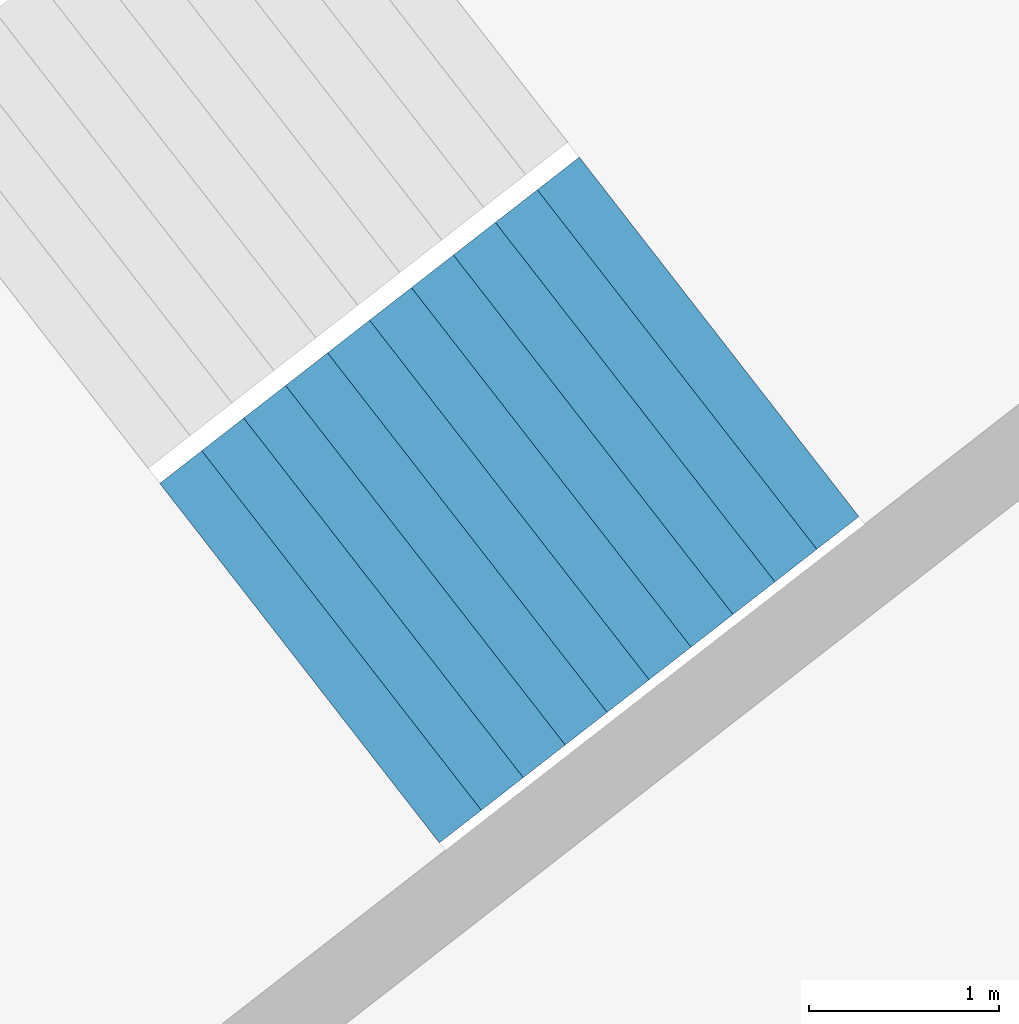
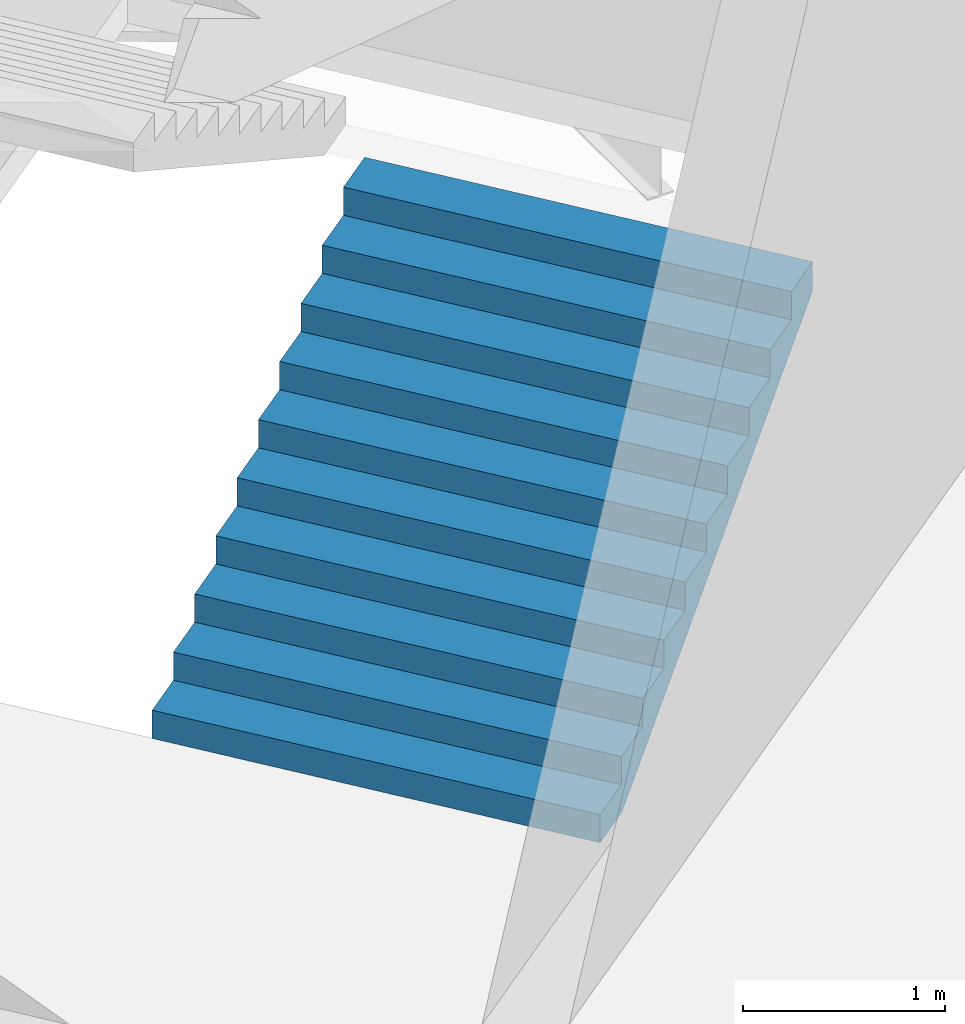
# One storey, part 61 of 73: 1 stair flight, 1 element without a shape of its own.
"""IFC4 building model written with IfcOpenShell, lengths in metres."""

import ifcopenshell
import ifcopenshell.guid

model = None  # the IFC model being written
_history = None  # IfcOwnerHistory: only IFC2X3 demands one
_inside = {}  # id of a spatial element -> (the spatial element, [elements in it])
_under = {}  # id of a project, library or spatial element -> (it, [spatial elements below it])
_declared = {}  # id of a project -> (the project, [libraries it declares])
_typed = {}  # id of a type object -> (the type object, [elements of that type])
_made_of = {}  # id of a material, layer set ... -> (it, [elements and type objects made of it])


def new_model(schema):
    """Start an empty IFC model of exactly this schema.

    Asked for "IFC4X3", IfcOpenShell would pick the latest addendum, in which some entities
    have other attributes; the version numbers below select the first issue.
    IFC2X3 requires an IfcOwnerHistory on every rooted entity: one is made here for all.
    """
    global model, _history
    if schema == "IFC4X3":
        model = ifcopenshell.file(schema_version=(4, 3, 0, 0))
    else:
        model = ifcopenshell.file(schema=schema)
    _inside.clear()
    _under.clear()
    _declared.clear()
    _typed.clear()
    _made_of.clear()
    _history = None
    if model.schema == "IFC2X3":
        org = make("IfcOrganization", Name="unknown")
        user = make(
            "IfcPersonAndOrganization",
            ThePerson=make("IfcPerson", FamilyName="unknown"),
            TheOrganization=org,
        )
        app = make(
            "IfcApplication",
            ApplicationDeveloper=org,
            Version="unknown",
            ApplicationFullName="unknown",
            ApplicationIdentifier="unknown",
        )
        _history = make(
            "IfcOwnerHistory",
            OwningUser=user,
            OwningApplication=app,
            ChangeAction="ADDED",
            CreationDate=0,
        )
    return model


def make(cls, **values):
    """One entity of the class cls with the attributes given. An attribute that is None is left unset."""
    return model.create_entity(
        cls, **{name: value for name, value in values.items() if value is not None}
    )


def rooted(cls, **values):
    """An entity with a GlobalId (a new one), such as an element, a storey or a relation."""
    return make(cls, GlobalId=ifcopenshell.guid.new(), OwnerHistory=_history, **values)


def si_unit(unit_type, name, prefix=None):
    """IfcSIUnit, for example si_unit("LENGTHUNIT", "METRE", prefix="MILLI")."""
    return make("IfcSIUnit", UnitType=unit_type, Prefix=prefix, Name=name)


def assignment(units):
    """IfcUnitAssignment: the units of a project."""
    return None if units is None else make("IfcUnitAssignment", Units=units)


def point(xyz):
    """IfcCartesianPoint."""
    return None if xyz is None else make("IfcCartesianPoint", Coordinates=xyz)


def direction(xyz):
    """IfcDirection."""
    return None if xyz is None else make("IfcDirection", DirectionRatios=xyz)


def frame(location, z_axis=None, x_axis=None):
    """IfcAxis2Placement3D, a coordinate frame: its origin and axes. An axis left out is left unset."""
    return make(
        "IfcAxis2Placement3D",
        Location=point(location),
        Axis=direction(z_axis),
        RefDirection=direction(x_axis),
    )


def origin():
    """The frame at (0, 0, 0) with its axes left unset."""
    return frame((0.0, 0.0, 0.0))


def place(relative_to, where):
    """IfcLocalPlacement: puts the frame where relative to a parent placement (None: the world)."""
    return make(
        "IfcLocalPlacement", PlacementRelTo=relative_to, RelativePlacement=where
    )


def context(
    kind, dimensions, precision=None, world=None, true_north=None, identifier=None
):
    """IfcGeometricRepresentationContext, for example the 3D "Model" context."""
    return make(
        "IfcGeometricRepresentationContext",
        ContextIdentifier=identifier,
        ContextType=kind,
        CoordinateSpaceDimension=dimensions,
        Precision=precision,
        WorldCoordinateSystem=world,
        TrueNorth=true_north,
    )


def subcontext(parent, identifier, kind, view, scale=None):
    """IfcGeometricRepresentationSubContext, for example "Body" below "Model"."""
    return make(
        "IfcGeometricRepresentationSubContext",
        ContextIdentifier=identifier,
        ContextType=kind,
        ParentContext=parent,
        TargetScale=scale,
        TargetView=view,
    )


def project(units=None, contexts=None):
    """IfcProject with its units and contexts."""
    return rooted(
        "IfcProject",
        Name="project",
        RepresentationContexts=contexts,
        UnitsInContext=assignment(units),
    )


def spatial(cls, under=None, at=None, **own):
    """A site, building, storey or space (cls), placed at a placement, below another one or the project."""
    s = rooted(cls, ObjectPlacement=at, **own)
    if under is not None:
        _under.setdefault(under.id(), (under, []))[1].append(s)
    return s


def point_list(points):
    """IfcCartesianPointList2D or 3D."""
    cls = (
        "IfcCartesianPointList2D" if len(points[0]) == 2 else "IfcCartesianPointList3D"
    )
    return make(cls, CoordList=points)


def triangles(points, corners, closed=None, point_numbers=None):
    """IfcTriangulatedFaceSet: each triangle names its three corners, points numbered from 1."""
    return make(
        "IfcTriangulatedFaceSet",
        Coordinates=point_list(points),
        Closed=closed,
        CoordIndex=corners,
        PnIndex=point_numbers,
    )


def shape(context_of_items, identifier, shape_type, items):
    """IfcShapeRepresentation: the items that make up one representation, for example the "Body"."""
    return make(
        "IfcShapeRepresentation",
        ContextOfItems=context_of_items,
        RepresentationIdentifier=identifier,
        RepresentationType=shape_type,
        Items=items,
    )


def material(Name=None, Category=None):
    """IfcMaterial."""
    return make("IfcMaterial", Name=Name, Category=Category)


def made_of(thing, what):
    """Note that an element or type object is made of a material, layer set ...; save() writes the relation."""
    if what is not None:
        _made_of.setdefault(what.id(), (what, []))[1].append(thing)
    return thing


def type_object(cls, material=None, **own):
    """A type object (cls), such as IfcWallType, which elements share."""
    return made_of(rooted(cls, **own), material)


def element(
    cls,
    number,
    at=None,
    inside=None,
    cuts=None,
    type_object=None,
    material=None,
    context=None,
    identifier="Body",
    shape_type=None,
    held_by="IfcProductDefinitionShape",
    body=None,
    shapes=None,
    **own,
):
    """One element of the class cls, such as IfcWall. Its Tag is "e" and its number.

    at: its placement. inside: the storey or other place that contains it. cuts: it is an
    opening in that element (IfcRelVoidsElement). A single representation is given by context,
    identifier, shape_type and body (its items); several are given by shapes. held_by: the class
    of the entity that holds the representations. save() writes the other relations.
    """
    e = rooted(cls, Tag="e%d" % number, ObjectPlacement=at, **own)
    if body is not None:
        shapes = [shape(context, identifier, shape_type, body)]
    if shapes is not None:
        e.Representation = make(held_by, Representations=shapes)
    if inside is not None:
        _inside.setdefault(inside.id(), (inside, []))[1].append(e)
    if cuts is not None:
        rooted(
            "IfcRelVoidsElement", RelatingBuildingElement=cuts, RelatedOpeningElement=e
        )
    if type_object is not None:
        _typed.setdefault(type_object.id(), (type_object, []))[1].append(e)
    return made_of(e, material)


def aggregate(whole, parts):
    """IfcRelAggregates: a whole, such as a stair, and the parts it consists of."""
    return rooted("IfcRelAggregates", RelatingObject=whole, RelatedObjects=parts)


def save(model, path):
    """Write the relations noted so far, then the file.

    IfcRelAggregates (storeys below a building ...), IfcRelContainedInSpatialStructure (elements
    in a storey), IfcRelDefinesByType, IfcRelAssociatesMaterial and IfcRelDeclares: one each for
    every whole, place, type object, material and project.
    """
    for whole, parts in _under.values():
        aggregate(whole, parts)
    for where, things in _inside.values():
        rooted(
            "IfcRelContainedInSpatialStructure",
            RelatedElements=things,
            RelatingStructure=where,
        )
    for kind, things in _typed.values():
        rooted("IfcRelDefinesByType", RelatedObjects=things, RelatingType=kind)
    for what, things in _made_of.values():
        rooted("IfcRelAssociatesMaterial", RelatedObjects=things, RelatingMaterial=what)
    for by, libraries in _declared.values():
        rooted("IfcRelDeclares", RelatingContext=by, RelatedDefinitions=libraries)
    model.write(path)


model = new_model("IFC4")

# Units and contexts
model_context = context("Model", 3, precision=1e-05, world=origin(), true_north=direction((0.0, 1.0)))
body_context = subcontext(model_context, "Body", "Model", "MODEL_VIEW")
ifc_project = project(units=[si_unit("LENGTHUNIT", "METRE"), si_unit("AREAUNIT", "SQUARE_METRE"), si_unit("VOLUMEUNIT", "CUBIC_METRE"), si_unit("PLANEANGLEUNIT", "RADIAN"), si_unit("MASSUNIT", "GRAM", prefix="KILO")], contexts=[model_context])

# Site, building, storey
site_placement = place(None, origin())
site = spatial("IfcSite", under=ifc_project, at=site_placement, CompositionType="ELEMENT")
building_placement = place(site_placement, origin())
building = spatial("IfcBuilding", under=site, at=building_placement, Name="Lantaw Convention Tower", CompositionType="ELEMENT")
storey_placement = place(building_placement, frame((0.0, 0.0, 14.5)))
storey = spatial("IfcBuildingStorey", under=building, at=storey_placement, Name="L02", CompositionType="ELEMENT", Elevation=14.5)

# Stair, stair flight
ifc_material = material(Name="Concrete C35/45", Category="concrete")
stair_type = type_object("IfcStairType", Name="Exit stair 2400 riser 170.45 in 4 flights", PredefinedType="HALF_TURN_STAIR", material=ifc_material)
stair_placement = place(storey_placement, origin())
stair = element("IfcStair", 1, at=stair_placement, inside=storey, type_object=stair_type, Name="Podium exit stair P3 L02", PredefinedType="HALF_TURN_STAIR")
stair_flight_type = type_object("IfcStairFlightType", Name="Stair flight 2400 riser 170.45", PredefinedType="STRAIGHT", material=ifc_material)
stair_flight_placement = place(storey_placement, frame((29.494384765625, 21.3544921875, 0.0), z_axis=(0.0, 0.0, 1.0), x_axis=(0.789378829664, 0.613906396186, 0.0)))
stair_flight = element("IfcStairFlight", 2, at=stair_flight_placement, type_object=stair_flight_type, Name="P3 flight 1", NumberOfRisers=11, NumberOfTreads=10, PredefinedType="STRAIGHT", RiserHeight=0.170454545, TreadLength=0.28, context=body_context, shape_type="Tessellation", body=[
    triangles([(0.0, 1.199951171875, 0.0), (0.0, 1.199951171875, 0.170454545), (0.28, 1.199951171875, 0.0), (0.28, 1.199951171875, 0.170454545), (0.28, 1.199951171875, 0.34090909), (0.28827876332691904, 1.199951171875, 0.0), (0.28827876332691904, 1.199951171875, 0.34090909), (0.56, 1.199951171875, 0.16541471344266906), (0.56, 1.199951171875, 0.34090909), (0.56, 1.199951171875, 0.511363635), (0.8400000000000001, 1.199951171875, 0.335869258442669), (0.8400000000000001, 1.199951171875, 0.511363635), (0.8400000000000001, 1.199951171875, 0.68181818), (1.12, 1.199951171875, 0.506323803442669), (1.12, 1.199951171875, 0.68181818), (1.12, 1.199951171875, 0.8522727250000001), (1.4000000000000001, 1.199951171875, 0.676778348442669), (1.4000000000000001, 1.199951171875, 0.8522727250000001), (1.4000000000000001, 1.199951171875, 1.02272727), (1.6800000000000002, 1.199951171875, 0.847232893442669), (1.6800000000000002, 1.199951171875, 1.02272727), (1.6800000000000002, 1.199951171875, 1.193181815), (1.9600000000000002, 1.199951171875, 1.017687438442669), (1.9600000000000002, 1.199951171875, 1.193181815), (1.9600000000000002, 1.199951171875, 1.36363636), (2.24, 1.199951171875, 1.188141983442669), (2.24, 1.199951171875, 1.36363636), (2.24, 1.199951171875, 1.5340909050000002), (2.5200000000000005, 1.199951171875, 1.358596528442669), (2.5200000000000005, 1.199951171875, 1.5340909050000002), (2.5200000000000005, 1.199951171875, 1.7045454500000001), (2.8000000000000003, 1.199951171875, 1.529051073442669), (2.8000000000000003, 1.199951171875, 1.7045454500000001), (0.0, -1.199951171875, 0.0), (0.0, -1.199951171875, 0.170454545), (0.28, -1.199951171875, 0.0), (0.28, -1.199951171875, 0.170454545), (0.28, -1.199951171875, 0.34090909), (0.28827876332691904, -1.199951171875, 0.0), (0.28827876332691904, -1.199951171875, 0.34090909), (0.56, -1.199951171875, 0.16541471344266906), (0.56, -1.199951171875, 0.34090909), (0.56, -1.199951171875, 0.511363635), (0.8400000000000001, -1.199951171875, 0.335869258442669), (0.8400000000000001, -1.199951171875, 0.511363635), (0.8400000000000001, -1.199951171875, 0.68181818), (1.12, -1.199951171875, 0.506323803442669), (1.12, -1.199951171875, 0.68181818), (1.12, -1.199951171875, 0.8522727250000001), (1.4000000000000001, -1.199951171875, 0.676778348442669), (1.4000000000000001, -1.199951171875, 0.8522727250000001), (1.4000000000000001, -1.199951171875, 1.02272727), (1.6800000000000002, -1.199951171875, 0.847232893442669), (1.6800000000000002, -1.199951171875, 1.02272727), (1.6800000000000002, -1.199951171875, 1.193181815), (1.9600000000000002, -1.199951171875, 1.017687438442669), (1.9600000000000002, -1.199951171875, 1.193181815), (1.9600000000000002, -1.199951171875, 1.36363636), (2.24, -1.199951171875, 1.188141983442669), (2.24, -1.199951171875, 1.36363636), (2.24, -1.199951171875, 1.5340909050000002), (2.5200000000000005, -1.199951171875, 1.358596528442669), (2.5200000000000005, -1.199951171875, 1.5340909050000002), (2.5200000000000005, -1.199951171875, 1.7045454500000001), (2.8000000000000003, -1.199951171875, 1.529051073442669), (2.8000000000000003, -1.199951171875, 1.7045454500000001), (0.0, 0.239990234375, 0.170454545), (0.0, 0.239990234375, 0.0), (0.0, 0.1199951171875, 0.170454545), (0.0, 0.1199951171875, 0.0), (0.0, 0.0, 0.170454545), (0.0, 0.0, 0.0), (0.0, -0.1199951171875, 0.170454545), (0.0, -0.1199951171875, 0.0), (0.0, -0.239990234375, 0.170454545), (0.0, -0.239990234375, 0.0), (0.28, 0.239990234375, 0.34090909), (0.28, 0.239990234375, 0.170454545), (0.28, 0.1199951171875, 0.34090909), (0.28, 0.1199951171875, 0.170454545), (0.28, 0.0, 0.34090909), (0.28, 0.0, 0.170454545), (0.28, -0.1199951171875, 0.34090909), (0.28, -0.1199951171875, 0.170454545), (0.28, -0.239990234375, 0.34090909), (0.28, -0.239990234375, 0.170454545), (0.56, 0.239990234375, 0.511363635), (0.56, 0.239990234375, 0.34090909), (0.56, 0.1199951171875, 0.511363635), (0.56, 0.1199951171875, 0.34090909), (0.56, 0.0, 0.511363635), (0.56, 0.0, 0.34090909), (0.56, -0.1199951171875, 0.511363635), (0.56, -0.1199951171875, 0.34090909), (0.56, -0.239990234375, 0.511363635), (0.56, -0.239990234375, 0.34090909), (0.8400000000000001, 0.239990234375, 0.68181818), (0.8400000000000001, 0.239990234375, 0.511363635), (0.8400000000000001, 0.1199951171875, 0.68181818), (0.8400000000000001, 0.1199951171875, 0.511363635), (0.8400000000000001, 0.0, 0.68181818), (0.8400000000000001, 0.0, 0.511363635), (0.8400000000000001, -0.1199951171875, 0.68181818), (0.8400000000000001, -0.1199951171875, 0.511363635), (0.8400000000000001, -0.239990234375, 0.68181818), (0.8400000000000001, -0.239990234375, 0.511363635), (1.12, 0.239990234375, 0.8522727250000001), (1.12, 0.239990234375, 0.68181818), (1.12, 0.1199951171875, 0.8522727250000001), (1.12, 0.1199951171875, 0.68181818), (1.12, 0.0, 0.8522727250000001), (1.12, 0.0, 0.68181818), (1.12, -0.1199951171875, 0.8522727250000001), (1.12, -0.1199951171875, 0.68181818), (1.12, -0.239990234375, 0.8522727250000001), (1.12, -0.239990234375, 0.68181818), (1.4000000000000001, 0.239990234375, 1.02272727), (1.4000000000000001, 0.239990234375, 0.8522727250000001), (1.4000000000000001, 0.1199951171875, 1.02272727), (1.4000000000000001, 0.1199951171875, 0.8522727250000001), (1.4000000000000001, 0.0, 1.02272727), (1.4000000000000001, 0.0, 0.8522727250000001), (1.4000000000000001, -0.1199951171875, 1.02272727), (1.4000000000000001, -0.1199951171875, 0.8522727250000001), (1.4000000000000001, -0.239990234375, 1.02272727), (1.4000000000000001, -0.239990234375, 0.8522727250000001), (1.6800000000000002, 0.239990234375, 1.193181815), (1.6800000000000002, 0.239990234375, 1.02272727), (1.6800000000000002, 0.1199951171875, 1.193181815), (1.6800000000000002, 0.1199951171875, 1.02272727), (1.6800000000000002, 0.0, 1.193181815), (1.6800000000000002, 0.0, 1.02272727), (1.6800000000000002, -0.1199951171875, 1.193181815), (1.6800000000000002, -0.1199951171875, 1.02272727), (1.6800000000000002, -0.239990234375, 1.193181815), (1.6800000000000002, -0.239990234375, 1.02272727), (1.9600000000000002, 0.239990234375, 1.36363636), (1.9600000000000002, 0.239990234375, 1.193181815), (1.9600000000000002, 0.1199951171875, 1.36363636), (1.9600000000000002, 0.1199951171875, 1.193181815), (1.9600000000000002, 0.0, 1.36363636), (1.9600000000000002, 0.0, 1.193181815), (1.9600000000000002, -0.1199951171875, 1.36363636), (1.9600000000000002, -0.1199951171875, 1.193181815), (1.9600000000000002, -0.239990234375, 1.36363636), (1.9600000000000002, -0.239990234375, 1.193181815), (2.24, 0.239990234375, 1.5340909050000002), (2.24, 0.239990234375, 1.36363636), (2.24, 0.1199951171875, 1.5340909050000002), (2.24, 0.1199951171875, 1.36363636), (2.24, 0.0, 1.5340909050000002), (2.24, 0.0, 1.36363636), (2.24, -0.1199951171875, 1.5340909050000002), (2.24, -0.1199951171875, 1.36363636), (2.24, -0.239990234375, 1.5340909050000002), (2.24, -0.239990234375, 1.36363636), (2.5200000000000005, 0.239990234375, 1.7045454500000001), (2.5200000000000005, 0.239990234375, 1.5340909050000002), (2.5200000000000005, 0.1199951171875, 1.7045454500000001), (2.5200000000000005, 0.1199951171875, 1.5340909050000002), (2.5200000000000005, 0.0, 1.7045454500000001), (2.5200000000000005, 0.0, 1.5340909050000002), (2.5200000000000005, -0.1199951171875, 1.7045454500000001), (2.5200000000000005, -0.1199951171875, 1.5340909050000002), (2.5200000000000005, -0.239990234375, 1.7045454500000001), (2.5200000000000005, -0.239990234375, 1.5340909050000002), (0.28827876332691904, 0.239990234375, 0.34090909), (0.28827876332691904, 0.1199951171875, 0.34090909), (0.28827876332691904, 0.0, 0.34090909), (0.28827876332691904, -0.1199951171875, 0.34090909), (0.28827876332691904, -0.239990234375, 0.34090909), (2.8000000000000003, 0.239990234375, 1.7045454500000001), (2.8000000000000003, 0.1199951171875, 1.7045454500000001), (2.8000000000000003, 0.0, 1.7045454500000001), (2.8000000000000003, -0.1199951171875, 1.7045454500000001), (2.8000000000000003, -0.239990234375, 1.7045454500000001), (2.8000000000000003, 0.239990234375, 1.5290510734426692), (2.8000000000000003, 0.1199951171875, 1.5290510734426692), (2.8000000000000003, 0.0, 1.5290510734426692), (2.8000000000000003, -0.1199951171875, 1.5290510734426692), (2.8000000000000003, -0.239990234375, 1.5290510734426692), (2.5200000000000005, 0.239990234375, 1.358596528442669), (2.5200000000000005, 0.1199951171875, 1.358596528442669), (2.5200000000000005, 0.0, 1.358596528442669), (2.5200000000000005, -0.1199951171875, 1.358596528442669), (2.5200000000000005, -0.239990234375, 1.358596528442669), (2.24, 0.239990234375, 1.188141983442669), (2.24, 0.1199951171875, 1.188141983442669), (2.24, 0.0, 1.188141983442669), (2.24, -0.1199951171875, 1.188141983442669), (2.24, -0.239990234375, 1.188141983442669), (1.9600000000000002, 0.239990234375, 1.017687438442669), (1.9600000000000002, 0.1199951171875, 1.017687438442669), (1.9600000000000002, 0.0, 1.017687438442669), (1.9600000000000002, -0.1199951171875, 1.017687438442669), (1.9600000000000002, -0.239990234375, 1.017687438442669), (1.6800000000000002, 0.239990234375, 0.847232893442669), (1.6800000000000002, 0.1199951171875, 0.847232893442669), (1.6800000000000002, 0.0, 0.847232893442669), (1.6800000000000002, -0.1199951171875, 0.847232893442669), (1.6800000000000002, -0.239990234375, 0.847232893442669), (1.4000000000000001, 0.239990234375, 0.676778348442669), (1.4000000000000001, 0.1199951171875, 0.676778348442669), (1.4000000000000001, 0.0, 0.676778348442669), (1.4000000000000001, -0.1199951171875, 0.676778348442669), (1.4000000000000001, -0.239990234375, 0.676778348442669), (1.12, 0.239990234375, 0.506323803442669), (1.12, 0.1199951171875, 0.506323803442669), (1.12, 0.0, 0.506323803442669), (1.12, -0.1199951171875, 0.506323803442669), (1.12, -0.239990234375, 0.506323803442669), (0.8400000000000001, 0.239990234375, 0.335869258442669), (0.8400000000000001, 0.1199951171875, 0.335869258442669), (0.8400000000000001, 0.0, 0.335869258442669), (0.8400000000000001, -0.1199951171875, 0.335869258442669), (0.8400000000000001, -0.239990234375, 0.335869258442669), (0.56, 0.239990234375, 0.16541471344266906), (0.56, 0.1199951171875, 0.16541471344266906), (0.56, 0.0, 0.16541471344266906), (0.56, -0.1199951171875, 0.16541471344266906), (0.56, -0.239990234375, 0.16541471344266906), (0.28827876332691904, 0.239990234375, 0.0), (0.28827876332691904, 0.1199951171875, 0.0), (0.28827876332691904, 0.0, 0.0), (0.28827876332691904, -0.1199951171875, 0.0), (0.28827876332691904, -0.239990234375, 0.0), (0.28, 0.239990234375, 0.0), (0.28, 0.1199951171875, 0.0), (0.28, 0.0, 0.0), (0.28, -0.1199951171875, 0.0), (0.28, -0.239990234375, 0.0)], [[1, 4, 3], [1, 2, 4], [3, 4, 6], [4, 7, 6], [4, 5, 7], [6, 9, 8], [6, 7, 9], [8, 9, 11], [9, 12, 11], [9, 10, 12], [11, 12, 14], [12, 15, 14], [12, 13, 15], [14, 15, 17], [15, 18, 17], [15, 16, 18], [17, 18, 20], [18, 21, 20], [18, 19, 21], [20, 21, 23], [21, 24, 23], [21, 22, 24], [23, 24, 26], [24, 27, 26], [24, 25, 27], [26, 27, 29], [27, 30, 29], [27, 28, 30], [29, 30, 32], [30, 33, 32], [30, 31, 33], [34, 36, 37], [34, 37, 35], [36, 39, 37], [37, 39, 40], [37, 40, 38], [39, 41, 42], [39, 42, 40], [41, 44, 42], [42, 44, 45], [42, 45, 43], [44, 47, 45], [45, 47, 48], [45, 48, 46], [47, 50, 48], [48, 50, 51], [48, 51, 49], [50, 53, 51], [51, 53, 54], [51, 54, 52], [53, 56, 54], [54, 56, 57], [54, 57, 55], [56, 59, 57], [57, 59, 60], [57, 60, 58], [59, 62, 60], [60, 62, 63], [60, 63, 61], [62, 65, 63], [63, 65, 66], [63, 66, 64], [1, 67, 2], [1, 68, 67], [68, 69, 67], [68, 70, 69], [70, 71, 69], [70, 72, 71], [72, 73, 71], [72, 74, 73], [74, 75, 73], [74, 76, 75], [76, 35, 75], [76, 34, 35], [4, 77, 5], [4, 78, 77], [78, 79, 77], [78, 80, 79], [80, 81, 79], [80, 82, 81], [82, 83, 81], [82, 84, 83], [84, 85, 83], [84, 86, 85], [86, 38, 85], [86, 37, 38], [9, 87, 10], [9, 88, 87], [88, 89, 87], [88, 90, 89], [90, 91, 89], [90, 92, 91], [92, 93, 91], [92, 94, 93], [94, 95, 93], [94, 96, 95], [96, 43, 95], [96, 42, 43], [12, 97, 13], [12, 98, 97], [98, 99, 97], [98, 100, 99], [100, 101, 99], [100, 102, 101], [102, 103, 101], [102, 104, 103], [104, 105, 103], [104, 106, 105], [106, 46, 105], [106, 45, 46], [15, 107, 16], [15, 108, 107], [108, 109, 107], [108, 110, 109], [110, 111, 109], [110, 112, 111], [112, 113, 111], [112, 114, 113], [114, 115, 113], [114, 116, 115], [116, 49, 115], [116, 48, 49], [18, 117, 19], [18, 118, 117], [118, 119, 117], [118, 120, 119], [120, 121, 119], [120, 122, 121], [122, 123, 121], [122, 124, 123], [124, 125, 123], [124, 126, 125], [126, 52, 125], [126, 51, 52], [21, 127, 22], [21, 128, 127], [128, 129, 127], [128, 130, 129], [130, 131, 129], [130, 132, 131], [132, 133, 131], [132, 134, 133], [134, 135, 133], [134, 136, 135], [136, 55, 135], [136, 54, 55], [24, 137, 25], [24, 138, 137], [138, 139, 137], [138, 140, 139], [140, 141, 139], [140, 142, 141], [142, 143, 141], [142, 144, 143], [144, 145, 143], [144, 146, 145], [146, 58, 145], [146, 57, 58], [27, 147, 28], [27, 148, 147], [148, 149, 147], [148, 150, 149], [150, 151, 149], [150, 152, 151], [152, 153, 151], [152, 154, 153], [154, 155, 153], [154, 156, 155], [156, 61, 155], [156, 60, 61], [30, 157, 31], [30, 158, 157], [158, 159, 157], [158, 160, 159], [160, 161, 159], [160, 162, 161], [162, 163, 161], [162, 164, 163], [164, 165, 163], [164, 166, 165], [166, 64, 165], [166, 63, 64], [2, 78, 4], [2, 67, 78], [67, 80, 78], [67, 69, 80], [69, 82, 80], [69, 71, 82], [71, 84, 82], [71, 73, 84], [73, 86, 84], [73, 75, 86], [75, 37, 86], [75, 35, 37], [5, 167, 7], [5, 77, 167], [77, 168, 167], [77, 79, 168], [79, 169, 168], [79, 81, 169], [81, 170, 169], [81, 83, 170], [83, 171, 170], [83, 85, 171], [85, 40, 171], [85, 38, 40], [7, 88, 9], [7, 167, 88], [167, 90, 88], [167, 168, 90], [168, 92, 90], [168, 169, 92], [169, 94, 92], [169, 170, 94], [170, 96, 94], [170, 171, 96], [171, 42, 96], [171, 40, 42], [10, 98, 12], [10, 87, 98], [87, 100, 98], [87, 89, 100], [89, 102, 100], [89, 91, 102], [91, 104, 102], [91, 93, 104], [93, 106, 104], [93, 95, 106], [95, 45, 106], [95, 43, 45], [13, 108, 15], [13, 97, 108], [97, 110, 108], [97, 99, 110], [99, 112, 110], [99, 101, 112], [101, 114, 112], [101, 103, 114], [103, 116, 114], [103, 105, 116], [105, 48, 116], [105, 46, 48], [16, 118, 18], [16, 107, 118], [107, 120, 118], [107, 109, 120], [109, 122, 120], [109, 111, 122], [111, 124, 122], [111, 113, 124], [113, 126, 124], [113, 115, 126], [115, 51, 126], [115, 49, 51], [19, 128, 21], [19, 117, 128], [117, 130, 128], [117, 119, 130], [119, 132, 130], [119, 121, 132], [121, 134, 132], [121, 123, 134], [123, 136, 134], [123, 125, 136], [125, 54, 136], [125, 52, 54], [22, 138, 24], [22, 127, 138], [127, 140, 138], [127, 129, 140], [129, 142, 140], [129, 131, 142], [131, 144, 142], [131, 133, 144], [133, 146, 144], [133, 135, 146], [135, 57, 146], [135, 55, 57], [25, 148, 27], [25, 137, 148], [137, 150, 148], [137, 139, 150], [139, 152, 150], [139, 141, 152], [141, 154, 152], [141, 143, 154], [143, 156, 154], [143, 145, 156], [145, 60, 156], [145, 58, 60], [28, 158, 30], [28, 147, 158], [147, 160, 158], [147, 149, 160], [149, 162, 160], [149, 151, 162], [151, 164, 162], [151, 153, 164], [153, 166, 164], [153, 155, 166], [155, 63, 166], [155, 61, 63], [31, 172, 33], [31, 157, 172], [157, 173, 172], [157, 159, 173], [159, 174, 173], [159, 161, 174], [161, 175, 174], [161, 163, 175], [163, 176, 175], [163, 165, 176], [165, 66, 176], [165, 64, 66], [33, 177, 32], [33, 172, 177], [172, 178, 177], [172, 173, 178], [173, 179, 178], [173, 174, 179], [174, 180, 179], [174, 175, 180], [175, 181, 180], [175, 176, 181], [176, 65, 181], [176, 66, 65], [32, 182, 29], [32, 177, 182], [177, 183, 182], [177, 178, 183], [178, 184, 183], [178, 179, 184], [179, 185, 184], [179, 180, 185], [180, 186, 185], [180, 181, 186], [181, 62, 186], [181, 65, 62], [29, 187, 26], [29, 182, 187], [182, 188, 187], [182, 183, 188], [183, 189, 188], [183, 184, 189], [184, 190, 189], [184, 185, 190], [185, 191, 190], [185, 186, 191], [186, 59, 191], [186, 62, 59], [26, 192, 23], [26, 187, 192], [187, 193, 192], [187, 188, 193], [188, 194, 193], [188, 189, 194], [189, 195, 194], [189, 190, 195], [190, 196, 195], [190, 191, 196], [191, 56, 196], [191, 59, 56], [23, 197, 20], [23, 192, 197], [192, 198, 197], [192, 193, 198], [193, 199, 198], [193, 194, 199], [194, 200, 199], [194, 195, 200], [195, 201, 200], [195, 196, 201], [196, 53, 201], [196, 56, 53], [20, 202, 17], [20, 197, 202], [197, 203, 202], [197, 198, 203], [198, 204, 203], [198, 199, 204], [199, 205, 204], [199, 200, 205], [200, 206, 205], [200, 201, 206], [201, 50, 206], [201, 53, 50], [17, 207, 14], [17, 202, 207], [202, 208, 207], [202, 203, 208], [203, 209, 208], [203, 204, 209], [204, 210, 209], [204, 205, 210], [205, 211, 210], [205, 206, 211], [206, 47, 211], [206, 50, 47], [14, 212, 11], [14, 207, 212], [207, 213, 212], [207, 208, 213], [208, 214, 213], [208, 209, 214], [209, 215, 214], [209, 210, 215], [210, 216, 215], [210, 211, 216], [211, 44, 216], [211, 47, 44], [11, 217, 8], [11, 212, 217], [212, 218, 217], [212, 213, 218], [213, 219, 218], [213, 214, 219], [214, 220, 219], [214, 215, 220], [215, 221, 220], [215, 216, 221], [216, 41, 221], [216, 44, 41], [8, 222, 6], [8, 217, 222], [217, 223, 222], [217, 218, 223], [218, 224, 223], [218, 219, 224], [219, 225, 224], [219, 220, 225], [220, 226, 225], [220, 221, 226], [221, 39, 226], [221, 41, 39], [6, 227, 3], [6, 222, 227], [222, 228, 227], [222, 223, 228], [223, 229, 228], [223, 224, 229], [224, 230, 229], [224, 225, 230], [225, 231, 230], [225, 226, 231], [226, 36, 231], [226, 39, 36], [3, 68, 1], [3, 227, 68], [227, 70, 68], [227, 228, 70], [228, 72, 70], [228, 229, 72], [229, 74, 72], [229, 230, 74], [230, 76, 74], [230, 231, 76], [231, 34, 76], [231, 36, 34]], closed=True),
])
aggregate(stair, [stair_flight])

save(model, "model.ifc")
